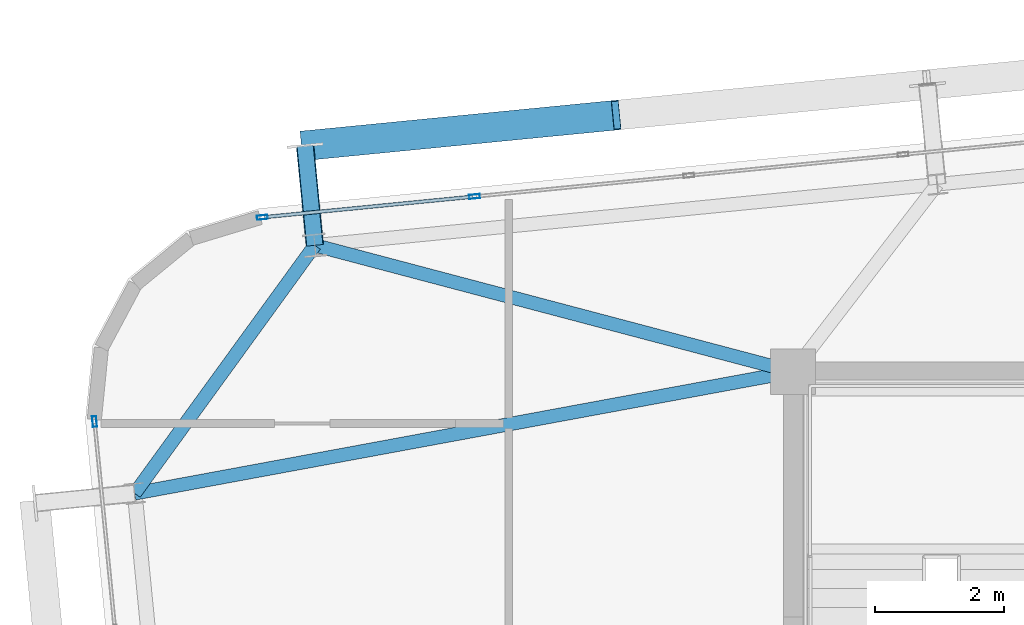
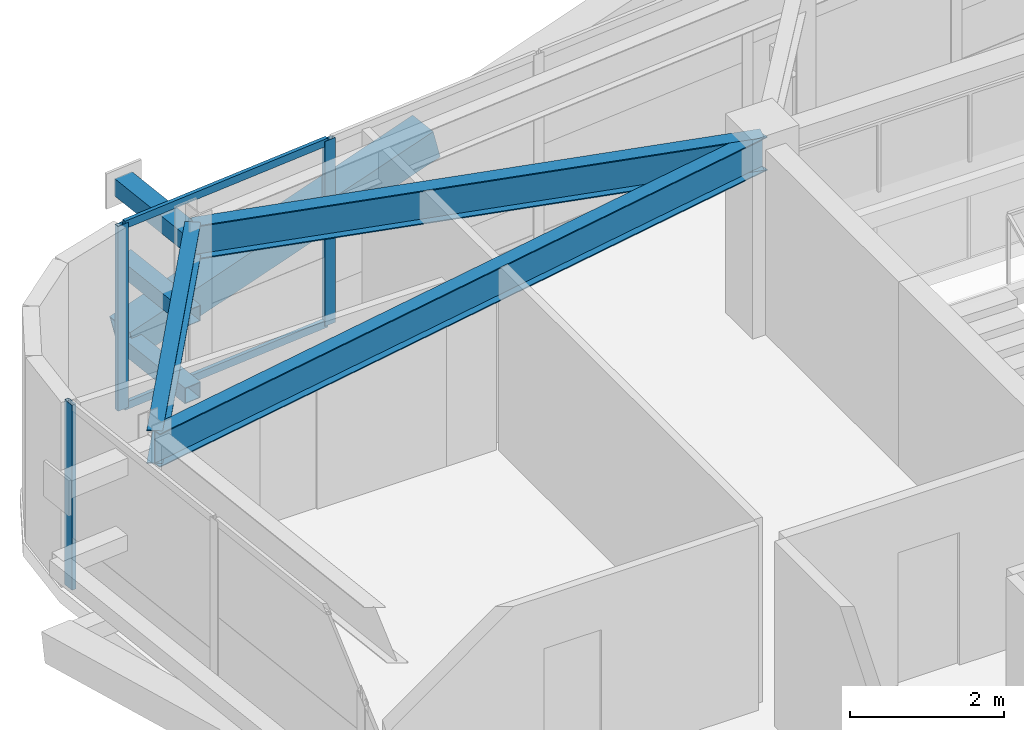
# One storey, part 27 of 52: 9 members, 3 beams, 2 elements without a shape of their own.
"""IFC4 building model written with IfcOpenShell, lengths in metres."""

import ifcopenshell
import ifcopenshell.guid

model = None  # the IFC model being written
_history = None  # IfcOwnerHistory: only IFC2X3 demands one
_inside = {}  # id of a spatial element -> (the spatial element, [elements in it])
_under = {}  # id of a project, library or spatial element -> (it, [spatial elements below it])
_declared = {}  # id of a project -> (the project, [libraries it declares])
_typed = {}  # id of a type object -> (the type object, [elements of that type])
_made_of = {}  # id of a material, layer set ... -> (it, [elements and type objects made of it])


def new_model(schema):
    """Start an empty IFC model of exactly this schema.

    Asked for "IFC4X3", IfcOpenShell would pick the latest addendum, in which some entities
    have other attributes; the version numbers below select the first issue.
    IFC2X3 requires an IfcOwnerHistory on every rooted entity: one is made here for all.
    """
    global model, _history
    if schema == "IFC4X3":
        model = ifcopenshell.file(schema_version=(4, 3, 0, 0))
    else:
        model = ifcopenshell.file(schema=schema)
    _inside.clear()
    _under.clear()
    _declared.clear()
    _typed.clear()
    _made_of.clear()
    _history = None
    if model.schema == "IFC2X3":
        org = make("IfcOrganization", Name="unknown")
        user = make(
            "IfcPersonAndOrganization",
            ThePerson=make("IfcPerson", FamilyName="unknown"),
            TheOrganization=org,
        )
        app = make(
            "IfcApplication",
            ApplicationDeveloper=org,
            Version="unknown",
            ApplicationFullName="unknown",
            ApplicationIdentifier="unknown",
        )
        _history = make(
            "IfcOwnerHistory",
            OwningUser=user,
            OwningApplication=app,
            ChangeAction="ADDED",
            CreationDate=0,
        )
    return model


def make(cls, **values):
    """One entity of the class cls with the attributes given. An attribute that is None is left unset."""
    return model.create_entity(
        cls, **{name: value for name, value in values.items() if value is not None}
    )


def rooted(cls, **values):
    """An entity with a GlobalId (a new one), such as an element, a storey or a relation."""
    return make(cls, GlobalId=ifcopenshell.guid.new(), OwnerHistory=_history, **values)


def si_unit(unit_type, name, prefix=None):
    """IfcSIUnit, for example si_unit("LENGTHUNIT", "METRE", prefix="MILLI")."""
    return make("IfcSIUnit", UnitType=unit_type, Prefix=prefix, Name=name)


def assignment(units):
    """IfcUnitAssignment: the units of a project."""
    return None if units is None else make("IfcUnitAssignment", Units=units)


def point(xyz):
    """IfcCartesianPoint."""
    return None if xyz is None else make("IfcCartesianPoint", Coordinates=xyz)


def direction(xyz):
    """IfcDirection."""
    return None if xyz is None else make("IfcDirection", DirectionRatios=xyz)


def frame(location, z_axis=None, x_axis=None):
    """IfcAxis2Placement3D, a coordinate frame: its origin and axes. An axis left out is left unset."""
    return make(
        "IfcAxis2Placement3D",
        Location=point(location),
        Axis=direction(z_axis),
        RefDirection=direction(x_axis),
    )


def frame_2d(location, x_axis=None):
    """IfcAxis2Placement2D, a coordinate frame in the plane: its origin and x axis."""
    return make(
        "IfcAxis2Placement2D", Location=point(location), RefDirection=direction(x_axis)
    )


def origin():
    """The frame at (0, 0, 0) with its axes left unset."""
    return frame((0.0, 0.0, 0.0))


def origin_2d():
    """The frame at (0, 0) in the plane with its x axis left unset."""
    return frame_2d((0.0, 0.0))


def place(relative_to, where):
    """IfcLocalPlacement: puts the frame where relative to a parent placement (None: the world)."""
    return make(
        "IfcLocalPlacement", PlacementRelTo=relative_to, RelativePlacement=where
    )


def context(
    kind, dimensions, precision=None, world=None, true_north=None, identifier=None
):
    """IfcGeometricRepresentationContext, for example the 3D "Model" context."""
    return make(
        "IfcGeometricRepresentationContext",
        ContextIdentifier=identifier,
        ContextType=kind,
        CoordinateSpaceDimension=dimensions,
        Precision=precision,
        WorldCoordinateSystem=world,
        TrueNorth=true_north,
    )


def subcontext(parent, identifier, kind, view, scale=None):
    """IfcGeometricRepresentationSubContext, for example "Body" below "Model"."""
    return make(
        "IfcGeometricRepresentationSubContext",
        ContextIdentifier=identifier,
        ContextType=kind,
        ParentContext=parent,
        TargetScale=scale,
        TargetView=view,
    )


def project(units=None, contexts=None):
    """IfcProject with its units and contexts."""
    return rooted(
        "IfcProject",
        Name="project",
        RepresentationContexts=contexts,
        UnitsInContext=assignment(units),
    )


def spatial(cls, under=None, at=None, **own):
    """A site, building, storey or space (cls), placed at a placement, below another one or the project."""
    s = rooted(cls, ObjectPlacement=at, **own)
    if under is not None:
        _under.setdefault(under.id(), (under, []))[1].append(s)
    return s


def profile(cls, at=None, kind="AREA", **sizes):
    """A parametric profile (cls). Its sizes go by their IFC names, for example OverallWidth=200.0."""
    return make(cls, ProfileType=kind, Position=at, **sizes)


def hollow_rectangle(**sizes):
    """IfcRectangleHollowProfileDef."""
    return profile("IfcRectangleHollowProfileDef", **sizes)


def i_section(**sizes):
    """IfcIShapeProfileDef."""
    return profile("IfcIShapeProfileDef", **sizes)


def extrude(swept, where, along, depth):
    """IfcExtrudedAreaSolid: the profile swept, set in the frame where, extruded along a direction by depth."""
    return make(
        "IfcExtrudedAreaSolid",
        SweptArea=swept,
        Position=where,
        ExtrudedDirection=direction(along),
        Depth=depth,
    )


def shape(context_of_items, identifier, shape_type, items):
    """IfcShapeRepresentation: the items that make up one representation, for example the "Body"."""
    return make(
        "IfcShapeRepresentation",
        ContextOfItems=context_of_items,
        RepresentationIdentifier=identifier,
        RepresentationType=shape_type,
        Items=items,
    )


def source(mapping_origin, context_of_items, identifier, shape_type, items):
    """IfcRepresentationMap: a shape defined once, which mapped items show again and again."""
    return make(
        "IfcRepresentationMap",
        MappingOrigin=mapping_origin,
        MappedRepresentation=shape(context_of_items, identifier, shape_type, items),
    )


def transform(
    local_origin,
    x_axis=None,
    y_axis=None,
    z_axis=None,
    scale=None,
    scale2=None,
    scale3=None,
    uniform=True,
):
    """IfcCartesianTransformationOperator3D, or its non-uniform kind. x_axis, y_axis, z_axis: its Axis1, 2, 3."""
    if uniform:
        return make(
            "IfcCartesianTransformationOperator3D",
            Axis1=direction(x_axis),
            Axis2=direction(y_axis),
            LocalOrigin=point(local_origin),
            Scale=scale,
            Axis3=direction(z_axis),
        )
    return make(
        "IfcCartesianTransformationOperator3DnonUniform",
        Axis1=direction(x_axis),
        Axis2=direction(y_axis),
        LocalOrigin=point(local_origin),
        Scale=scale,
        Axis3=direction(z_axis),
        Scale2=scale2,
        Scale3=scale3,
    )


def mapped(mapping_source, mapping_target):
    """IfcMappedItem: shows the shape of a source again, moved by a transform."""
    return make(
        "IfcMappedItem", MappingSource=mapping_source, MappingTarget=mapping_target
    )


def material(Name=None, Category=None):
    """IfcMaterial."""
    return make("IfcMaterial", Name=Name, Category=Category)


def layer(
    of_material, thickness, ventilated=None, Name=None, Category=None, Priority=None
):
    """IfcMaterialLayer: one layer of a wall or slab, of a material (None: an air gap)."""
    return make(
        "IfcMaterialLayer",
        Material=of_material,
        LayerThickness=thickness,
        IsVentilated=ventilated,
        Name=Name,
        Category=Category,
        Priority=Priority,
    )


def layer_set(layers, Name=None):
    """IfcMaterialLayerSet."""
    return make("IfcMaterialLayerSet", MaterialLayers=layers, LayerSetName=Name)


def material_profile(
    of_material, cross_section, Name=None, Category=None, Priority=None
):
    """IfcMaterialProfile: a cross section and its material."""
    return make(
        "IfcMaterialProfile",
        Name=Name,
        Material=of_material,
        Profile=cross_section,
        Priority=Priority,
        Category=Category,
    )


def profile_set(profiles, Name=None, composite=None):
    """IfcMaterialProfileSet."""
    return make(
        "IfcMaterialProfileSet",
        Name=Name,
        MaterialProfiles=profiles,
        CompositeProfile=composite,
    )


def made_of(thing, what):
    """Note that an element or type object is made of a material, layer set ...; save() writes the relation."""
    if what is not None:
        _made_of.setdefault(what.id(), (what, []))[1].append(thing)
    return thing


def type_object(cls, material=None, **own):
    """A type object (cls), such as IfcWallType, which elements share."""
    return made_of(rooted(cls, **own), material)


def element(
    cls,
    number,
    at=None,
    inside=None,
    cuts=None,
    type_object=None,
    material=None,
    context=None,
    identifier="Body",
    shape_type=None,
    held_by="IfcProductDefinitionShape",
    body=None,
    shapes=None,
    **own,
):
    """One element of the class cls, such as IfcWall. Its Tag is "e" and its number.

    at: its placement. inside: the storey or other place that contains it. cuts: it is an
    opening in that element (IfcRelVoidsElement). A single representation is given by context,
    identifier, shape_type and body (its items); several are given by shapes. held_by: the class
    of the entity that holds the representations. save() writes the other relations.
    """
    e = rooted(cls, Tag="e%d" % number, ObjectPlacement=at, **own)
    if body is not None:
        shapes = [shape(context, identifier, shape_type, body)]
    if shapes is not None:
        e.Representation = make(held_by, Representations=shapes)
    if inside is not None:
        _inside.setdefault(inside.id(), (inside, []))[1].append(e)
    if cuts is not None:
        rooted(
            "IfcRelVoidsElement", RelatingBuildingElement=cuts, RelatedOpeningElement=e
        )
    if type_object is not None:
        _typed.setdefault(type_object.id(), (type_object, []))[1].append(e)
    return made_of(e, material)


def aggregate(whole, parts):
    """IfcRelAggregates: a whole, such as a stair, and the parts it consists of."""
    return rooted("IfcRelAggregates", RelatingObject=whole, RelatedObjects=parts)


def save(model, path):
    """Write the relations noted so far, then the file.

    IfcRelAggregates (storeys below a building ...), IfcRelContainedInSpatialStructure (elements
    in a storey), IfcRelDefinesByType, IfcRelAssociatesMaterial and IfcRelDeclares: one each for
    every whole, place, type object, material and project.
    """
    for whole, parts in _under.values():
        aggregate(whole, parts)
    for where, things in _inside.values():
        rooted(
            "IfcRelContainedInSpatialStructure",
            RelatedElements=things,
            RelatingStructure=where,
        )
    for kind, things in _typed.values():
        rooted("IfcRelDefinesByType", RelatedObjects=things, RelatingType=kind)
    for what, things in _made_of.values():
        rooted("IfcRelAssociatesMaterial", RelatedObjects=things, RelatingMaterial=what)
    for by, libraries in _declared.values():
        rooted("IfcRelDeclares", RelatingContext=by, RelatedDefinitions=libraries)
    model.write(path)


model = new_model("IFC4")

# Units and contexts
model_context = context("Model", 3, precision=1e-05, world=origin(), true_north=direction((0.0, 1.0)))
body_context = subcontext(model_context, "Body", "Model", "MODEL_VIEW")
ifc_project = project(units=[si_unit("LENGTHUNIT", "METRE"), si_unit("AREAUNIT", "SQUARE_METRE"), si_unit("VOLUMEUNIT", "CUBIC_METRE"), si_unit("PLANEANGLEUNIT", "RADIAN"), si_unit("MASSUNIT", "GRAM", prefix="KILO")], contexts=[model_context])

# Site, building, storey
site_placement = place(None, origin())
site = spatial("IfcSite", under=ifc_project, at=site_placement, CompositionType="ELEMENT")
building_placement = place(site_placement, origin())
building = spatial("IfcBuilding", under=site, at=building_placement, Name="Taldren Reach Tower", CompositionType="ELEMENT")
storey_placement = place(building_placement, frame((0.0, 0.0, 93.449951171875)))
storey = spatial("IfcBuildingStorey", under=building, at=storey_placement, Name="L28", CompositionType="ELEMENT", Elevation=93.449951171875)

# Beams
ifc_material_1 = material(Name="Steel Gr 350 (350PLUS)", Category="steel")
ifc_material_profile_1 = material_profile(ifc_material_1, i_section(OverallWidth=0.208984375, OverallDepth=0.528076171875, WebThickness=0.009521484375, FlangeThickness=0.01318359375, at=origin_2d()), Name="530UB82.0")
ifc_profile_set_1 = profile_set([ifc_material_profile_1], Name="Steel Gr 350 (350PLUS)")
beam_type_1 = type_object("IfcBeamType", Name="SP-UB530B", PredefinedType="SPANDREL", material=ifc_profile_set_1)
shared_shape_1 = source(origin(), body_context, "Body", "SweptSolid", [
    extrude(i_section(OverallWidth=0.208984375, OverallDepth=0.528076171875, WebThickness=0.009521484375, FlangeThickness=0.01318359375, at=origin_2d()), origin(), (0.0, 0.0, 1.0), 4.74609375),
])
beam_1_placement = place(storey_placement, frame((11.596923828125, 33.956787109375, 2.666015625), z_axis=(-0.587565912237, -0.809176308833, 0.0), x_axis=(0.809176308833, -0.587565912237, 0.0)))
element("IfcBeam", 1, at=beam_1_placement, inside=storey, type_object=beam_type_1, Name="Perimeter spandrel B2 N1-W3 L28", PredefinedType="SPANDREL", context=body_context, shape_type="MappedRepresentation", body=[
    mapped(shared_shape_1, transform((0.0, 0.0, 0.0), scale=1.0)),
])
ifc_material_profile_2 = material_profile(ifc_material_1, i_section(OverallWidth=0.208984375, OverallDepth=0.532958984375, WebThickness=0.01025390625, FlangeThickness=0.015625, at=origin_2d()), Name="530UB92.4")
ifc_profile_set_2 = profile_set([ifc_material_profile_2], Name="Steel Gr 350 (350PLUS)")
beam_type_2 = type_object("IfcBeamType", Name="BM-UB530A", PredefinedType="BEAM", material=ifc_profile_set_2)
shared_shape_2 = source(origin(), body_context, "Body", "SweptSolid", [
    extrude(i_section(OverallWidth=0.208984375, OverallDepth=0.532958984375, WebThickness=0.01025390625, FlangeThickness=0.015625, at=origin_2d()), origin(), (0.0, 0.0, 1.0), 7.6572265625),
])
beam_2_placement = place(storey_placement, frame((19.0, 32.0, 2.66357421875), z_axis=(-0.966797258245, 0.255544636904, 0.0), x_axis=(-0.255544636904, -0.966797258245, 0.0)))
element("IfcBeam", 2, at=beam_2_placement, inside=storey, type_object=beam_type_2, Name="Primary floor girder B2-N1 L28", PredefinedType="BEAM", context=body_context, shape_type="MappedRepresentation", body=[
    mapped(shared_shape_2, transform((0.0, 0.0, 0.0), scale=1.0)),
])
shared_shape_3 = source(origin(), body_context, "Body", "SweptSolid", [
    extrude(i_section(OverallWidth=0.208984375, OverallDepth=0.532958984375, WebThickness=0.01025390625, FlangeThickness=0.015625, at=origin_2d()), origin(), (0.0, 0.0, 1.0), 10.3642578125),
])
beam_3_placement = place(storey_placement, frame((19.0, 32.0, 2.66357421875), z_axis=(-0.983347548213, -0.181734970283, 0.0), x_axis=(0.181734970283, -0.983347548213, 0.0)))
element("IfcBeam", 3, at=beam_3_placement, inside=storey, type_object=beam_type_2, Name="Primary floor girder B2-W3 L28", PredefinedType="BEAM", context=body_context, shape_type="MappedRepresentation", body=[
    mapped(shared_shape_3, transform((0.0, 0.0, 0.0), scale=1.0)),
])

# Members
ifc_material_2 = material(Name="Steel Gr 450 (C450L0)", Category="steel")
ifc_material_profile_3 = material_profile(ifc_material_2, hollow_rectangle(XDim=0.27490234375, YDim=0.27490234375, WallThickness=0.00927734375, at=origin_2d()), Name="275x275x9.3SHS")
ifc_profile_set_3 = profile_set([ifc_material_profile_3], Name="Steel Gr 450 (C450L0)")
member_type_1 = type_object("IfcMemberType", Name="MB-TIE273", PredefinedType="STRUT", material=ifc_profile_set_3)
shared_shape_4 = source(origin(), body_context, "Body", "SweptSolid", [
    extrude(hollow_rectangle(XDim=0.27490234375, YDim=0.27490234375, WallThickness=0.00927734375, at=origin_2d()), origin(), (0.0, 0.0, 1.0), 1.550048828125),
])
member_1_placement = place(storey_placement, frame((11.596923828125, 33.956787109375, 2.650146484375), z_axis=(-0.097647892962, 0.9952210252, 0.0), x_axis=(-0.9952210252, -0.097647892962, 0.0)))
element("IfcMember", 4, at=member_1_placement, inside=storey, type_object=member_type_1, Name="Exoskeleton diaphragm tie strut B2-N1 L28", PredefinedType="STRUT", context=body_context, shape_type="MappedRepresentation", body=[
    mapped(shared_shape_4, transform((0.0, 0.0, 0.0), scale=1.0)),
])
ifc_material_profile_4 = material_profile(ifc_material_2, hollow_rectangle(XDim=0.4599609375, YDim=0.4599609375, WallThickness=0.01611328125, at=origin_2d()), Name="460x460x16.0SHS")
ifc_profile_set_4 = profile_set([ifc_material_profile_4], Name="Steel Gr 450 (C450L0)")
member_type_2 = type_object("IfcMemberType", Name="MB-EXO457", PredefinedType="BRACE", material=ifc_profile_set_4)
shared_shape_5 = source(origin(), body_context, "Body", "SweptSolid", [
    extrude(hollow_rectangle(XDim=0.4599609375, YDim=0.4599609375, WallThickness=0.01611328125, at=origin_2d()), origin(), (0.0, 0.0, 1.0), 4.990234375),
])
member_2_placement = place(storey_placement, frame((11.445556640625, 35.49951171875, 0.219970703125), z_axis=(0.965275526283, 0.094619506732, 0.243496010862), x_axis=(-0.097555749586, 0.995230061706, 0.0)))
element("IfcMember", 5, at=member_2_placement, inside=storey, type_object=member_type_2, Name="Exoskeleton Diagrid Brace B2-N1 L28", PredefinedType="BRACE", context=body_context, shape_type="MappedRepresentation", body=[
    mapped(shared_shape_5, transform((0.0, 0.0, 0.0), scale=1.0)),
])
ifc_material_3 = material(Name="Steel Gr 350 (C350L0)", Category="steel")
ifc_material_profile_5 = material_profile(ifc_material_3, hollow_rectangle(XDim=0.25, YDim=0.25, WallThickness=0.010009765625, at=origin_2d()), Name="250x250x10.0SHS")
ifc_profile_set_5 = profile_set([ifc_material_profile_5], Name="Steel Gr 350 (C350L0)")
member_type_3 = type_object("IfcMemberType", Name="MB-POST250", PredefinedType="POST", material=ifc_profile_set_5)
shared_shape_6 = source(origin(), body_context, "Body", "SweptSolid", [
    extrude(hollow_rectangle(XDim=0.25, YDim=0.25, WallThickness=0.010009765625, at=origin_2d()), origin(), (0.0, 0.0, 1.0), 1.550048828125),
])
for number, where, z_axis, x_axis, name in (
    (6, (11.596923828125, 33.956787109375, 0.219970703125), (-0.097647892962, 0.9952210252, 0.0), (-0.9952210252, -0.097647892962, 0.0), "Exoskeleton base diaphragm tie strut B2-N1 L28"),
    (7, (11.596923828125, 33.956787109375, 1.43505859375), (-0.097647892962, 0.9952210252, 0.0), (-0.9952210252, -0.097647892962, 0.0), "Exoskeleton mid-tier diaphragm tie B2-N1 L28"),
):
    element("IfcMember", number, at=place(storey_placement, frame(where, z_axis=z_axis, x_axis=x_axis)), inside=storey, type_object=member_type_3, Name=name, PredefinedType="POST", context=body_context, shape_type="MappedRepresentation", body=[
        mapped(shared_shape_6, transform((0.0, 0.0, 0.0), scale=1.0)),
    ])

# Curtain wall, members
ifc_material_4 = material(Name="Aluminium and Low-E Glass Unitised System", Category="aluminium")
ifc_layer = layer(ifc_material_4, 0.159912109375)
ifc_layer_set = layer_set([ifc_layer], Name="Aluminium and Low-E Glass Unitised System")
curtain_wall_type = type_object("IfcCurtainWallType", Name="CW-SYS-3", PredefinedType="NOTDEFINED", material=ifc_layer_set)
curtain_wall_1_placement = place(storey_placement, origin())
curtain_wall_1 = element("IfcCurtainWall", 8, at=curtain_wall_1_placement, inside=storey, type_object=curtain_wall_type, Name="Unitised curtain wall CW-L28-N", PredefinedType="NOTDEFINED")
ifc_material_5 = material(Name="Anodised Aluminium 6063-T6", Category="aluminium")
ifc_material_profile_6 = material_profile(ifc_material_5, hollow_rectangle(XDim=0.06494140625, YDim=0.1650390625, WallThickness=0.00390625, at=origin_2d()), Name="ALU-165x65x4RHS")
ifc_profile_set_6 = profile_set([ifc_material_profile_6], Name="Anodised Aluminium 6063-T6")
member_type_4 = type_object("IfcMemberType", Name="CW-MUL-165", PredefinedType="MULLION", material=ifc_profile_set_6)
shared_shape_7 = source(origin(), body_context, "Body", "SweptSolid", [
    extrude(hollow_rectangle(XDim=0.06494140625, YDim=0.1650390625, WallThickness=0.00390625, at=origin_2d()), origin(), (0.0, 0.0, 1.0), 2.929931640625),
])
member_3_placement = place(storey_placement, frame((14.068359375, 34.711669921875, 0.0), z_axis=(0.0, 0.0, 1.0), x_axis=(0.097582999046, -0.995227390247, 0.0)))
member_3 = element("IfcMember", 9, at=member_3_placement, type_object=member_type_4, Name="CW-3 mullion 15", PredefinedType="MULLION", context=body_context, shape_type="MappedRepresentation", body=[
    mapped(shared_shape_7, transform((0.0, 0.0, 0.0), scale=1.0)),
])
member_4_placement = place(storey_placement, frame((10.783203125, 34.3896484375, 0.0), z_axis=(0.0, 0.0, 1.0), x_axis=(0.097582999046, -0.995227390247, 0.0)))
member_4 = element("IfcMember", 10, at=member_4_placement, type_object=member_type_4, Name="CW-3 mullion 16", PredefinedType="MULLION", context=body_context, shape_type="MappedRepresentation", body=[
    mapped(shared_shape_7, transform((0.0, 0.0, 0.0), scale=1.0)),
])

# Curtain wall, member
curtain_wall_2_placement = place(storey_placement, origin())
curtain_wall_2 = element("IfcCurtainWall", 11, at=curtain_wall_2_placement, inside=storey, type_object=curtain_wall_type, Name="Unitised curtain wall CW-L28-W", PredefinedType="NOTDEFINED")
member_5_placement = place(storey_placement, frame((8.186767578125, 31.228515625, 0.0), z_axis=(0.0, 0.0, 1.0), x_axis=(0.99522741555, 0.09758274098, 0.0)))
member_5 = element("IfcMember", 12, at=member_5_placement, type_object=member_type_4, Name="CW-3 mullion 1", PredefinedType="MULLION", context=body_context, shape_type="MappedRepresentation", body=[
    mapped(shared_shape_7, transform((0.0, 0.0, 0.0), scale=1.0)),
])
aggregate(curtain_wall_2, [member_5])

# Member
ifc_material_profile_7 = material_profile(ifc_material_5, hollow_rectangle(XDim=0.054931640625, YDim=0.1201171875, WallThickness=0.0029296875, at=origin_2d()), Name="ALU-120x55x3RHS")
ifc_profile_set_7 = profile_set([ifc_material_profile_7], Name="Anodised Aluminium 6063-T6")
member_type_5 = type_object("IfcMemberType", Name="CW-TRN-135", PredefinedType="USERDEFINED", material=ifc_profile_set_7)
shared_shape_8 = source(origin(), body_context, "Body", "SweptSolid", [
    extrude(hollow_rectangle(XDim=0.054931640625, YDim=0.1201171875, WallThickness=0.0029296875, at=origin_2d()), origin(), (0.0, 0.0, 1.0), 3.235595703125),
])
member_6_placement = place(storey_placement, frame((14.035888671875, 34.70849609375, 0.027587890625), z_axis=(-0.995229530729, -0.09756116628, 0.0), x_axis=(0.09756116628, -0.995229530729, 0.0)))
member_6 = element("IfcMember", 13, at=member_6_placement, type_object=member_type_5, Name="CW-3 transom 15.1", ObjectType="TRANSOM", PredefinedType="USERDEFINED", context=body_context, shape_type="MappedRepresentation", body=[
    mapped(shared_shape_8, transform((0.0, 0.0, 0.0), scale=1.0)),
])

member_7_placement = place(storey_placement, frame((14.035888671875, 34.70849609375, 2.902587890625), z_axis=(-0.995229530729, -0.09756116628, 0.0), x_axis=(0.09756116628, -0.995229530729, 0.0)))
member_7 = element("IfcMember", 14, at=member_7_placement, type_object=member_type_5, Name="CW-3 transom 15.2", ObjectType="TRANSOM", PredefinedType="USERDEFINED", context=body_context, shape_type="MappedRepresentation", body=[
    mapped(shared_shape_8, transform((0.0, 0.0, 0.0), scale=1.0)),
])

aggregate(curtain_wall_1, [member_3, member_4, member_6, member_7])

save(model, "model.ifc")
